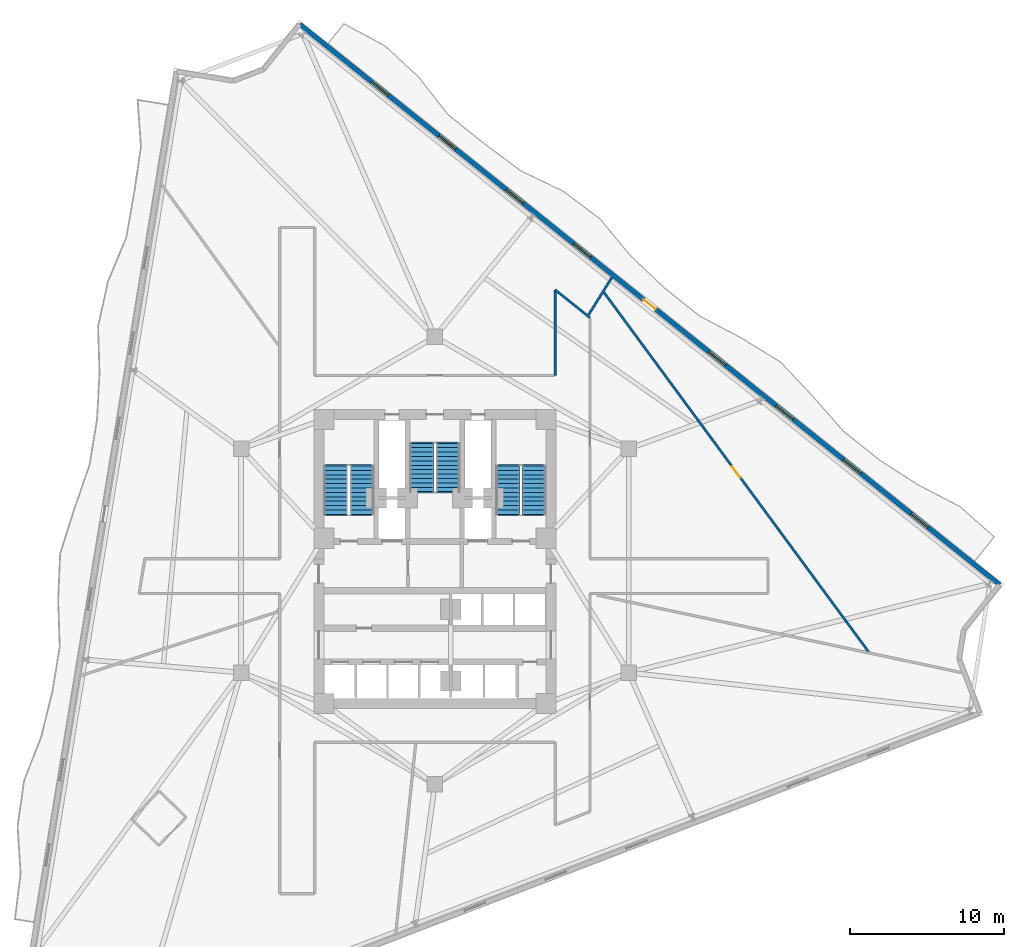
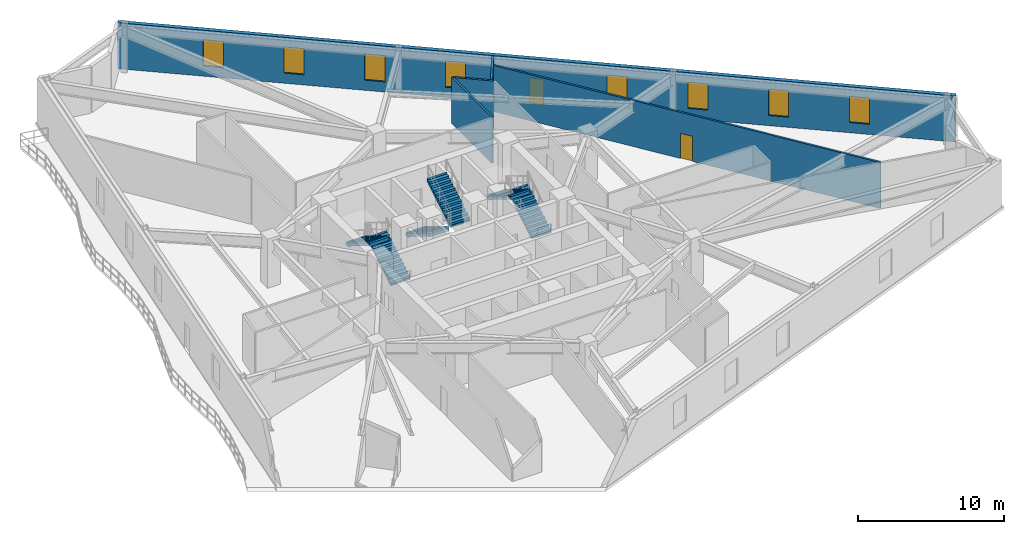
# One storey, part 7 of 10: 8 windows, 6 stair flights, 5 walls, 2 doors, 10 openings, 3 elements without a shape of their own.
"""IFC4 building model written with IfcOpenShell, lengths in metres."""

from ifc_helpers import new_model, si_unit, direction, frame, frame_2d, origin, place, context, subcontext, project, spatial, polyline, rectangle, outline, extrude, material, layer, layer_set, type_object, element, fill, aggregate, save


model = new_model("IFC4")

# Units and contexts
model_context = context("Model", 3, precision=1e-05, world=origin(), true_north=direction((0.0, 1.0)))
body_context = subcontext(model_context, "Body", "Model", "MODEL_VIEW")
ifc_project = project(units=[si_unit("LENGTHUNIT", "METRE"), si_unit("AREAUNIT", "SQUARE_METRE"), si_unit("VOLUMEUNIT", "CUBIC_METRE"), si_unit("PLANEANGLEUNIT", "RADIAN"), si_unit("MASSUNIT", "GRAM", prefix="KILO")], contexts=[model_context])

# Site, building, storey
site_placement = place(None, origin())
site = spatial("IfcSite", under=ifc_project, at=site_placement, CompositionType="ELEMENT")
building_placement = place(site_placement, origin())
building = spatial("IfcBuilding", under=site, at=building_placement, Name="Apsidion Concourse Tower", CompositionType="ELEMENT")
storey_placement = place(building_placement, frame((0.0, 0.0, 152.699951171875)))
storey = spatial("IfcBuildingStorey", under=building, at=storey_placement, Name="L35", CompositionType="ELEMENT", Elevation=152.699951171875)

# Wall, openings, door, windows
ifc_material_1 = material(Name="Precast concrete C40/50", Category="concrete")
ifc_layer_1 = layer(ifc_material_1, 0.300048828125)
ifc_layer_set_1 = layer_set([ifc_layer_1], Name="Precast concrete C40/50")
wall_type_1 = type_object("IfcWallType", Name="WL-EXT-300", PredefinedType="STANDARD", material=ifc_layer_set_1)
wall_1_placement = place(storey_placement, frame((-8.76171875, 34.748291015625, 0.0), z_axis=(0.0, 0.0, 1.0), x_axis=(0.780669916438, -0.624943582708, 0.0)))
wall_1 = element("IfcWall", 1, at=wall_1_placement, inside=storey, type_object=wall_type_1, Name="L35 Precast Stone Facade Wall 01", PredefinedType="STANDARD", context=body_context, shape_type="SweptSolid", body=[
    extrude(rectangle(XDim=58.093017578125, YDim=0.300048828125, at=frame_2d((29.04638671875, 0.0))), origin(), (0.0, 0.0, 1.0), 3.85009765625),
])
opening_1_placement = place(wall_1_placement, frame((28.546630859375, 0.0, 0.0)))
opening_1 = element("IfcOpeningElement", 2, at=opening_1_placement, cuts=wall_1, Name="Opening D-T1R", PredefinedType="OPENING", context=body_context, shape_type="SweptSolid", body=[
    extrude(rectangle(XDim=1.0, YDim=2.14990234375, at=frame_2d((0.5, 1.074951171875))), frame((0.0, 0.16015625, 0.0), z_axis=(0.0, -1.0, 0.0), x_axis=(1.0, 0.0, 0.0)), (0.0, 0.0, 1.0), 0.320068359375),
])
opening_2_placement = place(wall_1_placement, frame((5.946533203125, 0.0, 0.85009765625)))
opening_2 = element("IfcOpeningElement", 3, at=opening_2_placement, cuts=wall_1, Name="Opening WN-05", PredefinedType="OPENING", context=body_context, shape_type="SweptSolid", body=[
    extrude(rectangle(XDim=1.39990234375, YDim=2.199951171875, at=frame_2d((0.699951171875, 1.10009765625))), frame((0.0, 0.16015625, 0.0), z_axis=(0.0, -1.0, 0.0), x_axis=(1.0, 0.0, 0.0)), (0.0, 0.0, 1.0), 0.320068359375),
])
opening_3_placement = place(wall_1_placement, frame((11.546630859375, 0.0, 0.85009765625)))
opening_3 = element("IfcOpeningElement", 4, at=opening_3_placement, cuts=wall_1, Name="Opening WN-05", PredefinedType="OPENING", context=body_context, shape_type="SweptSolid", body=[
    extrude(rectangle(XDim=1.39990234375, YDim=2.199951171875, at=frame_2d((0.699951171875, 1.10009765625))), frame((0.0, 0.16015625, 0.0), z_axis=(0.0, -1.0, 0.0), x_axis=(1.0, 0.0, 0.0)), (0.0, 0.0, 1.0), 0.320068359375),
])
opening_4_placement = place(wall_1_placement, frame((17.146484375, 0.0, 0.85009765625)))
opening_4 = element("IfcOpeningElement", 5, at=opening_4_placement, cuts=wall_1, Name="Opening WN-05", PredefinedType="OPENING", context=body_context, shape_type="SweptSolid", body=[
    extrude(rectangle(XDim=1.39990234375, YDim=2.199951171875, at=frame_2d((0.699951171875, 1.10009765625))), frame((0.0, 0.16015625, 0.0), z_axis=(0.0, -1.0, 0.0), x_axis=(1.0, 0.0, 0.0)), (0.0, 0.0, 1.0), 0.320068359375),
])
opening_5_placement = place(wall_1_placement, frame((22.74658203125, 0.0, 0.85009765625)))
opening_5 = element("IfcOpeningElement", 6, at=opening_5_placement, cuts=wall_1, Name="Opening WN-05", PredefinedType="OPENING", context=body_context, shape_type="SweptSolid", body=[
    extrude(rectangle(XDim=1.39990234375, YDim=2.199951171875, at=frame_2d((0.699951171875, 1.10009765625))), frame((0.0, 0.16015625, 0.0), z_axis=(0.0, -1.0, 0.0), x_axis=(1.0, 0.0, 0.0)), (0.0, 0.0, 1.0), 0.320068359375),
])
opening_6_placement = place(wall_1_placement, frame((33.946533203125, 0.0, 0.85009765625)))
opening_6 = element("IfcOpeningElement", 7, at=opening_6_placement, cuts=wall_1, Name="Opening WN-05", PredefinedType="OPENING", context=body_context, shape_type="SweptSolid", body=[
    extrude(rectangle(XDim=1.39990234375, YDim=2.199951171875, at=frame_2d((0.699951171875, 1.10009765625))), frame((0.0, 0.16015625, 0.0), z_axis=(0.0, -1.0, 0.0), x_axis=(1.0, 0.0, 0.0)), (0.0, 0.0, 1.0), 0.320068359375),
])
opening_7_placement = place(wall_1_placement, frame((39.546630859375, 0.0, 0.85009765625)))
opening_7 = element("IfcOpeningElement", 8, at=opening_7_placement, cuts=wall_1, Name="Opening WN-05", PredefinedType="OPENING", context=body_context, shape_type="SweptSolid", body=[
    extrude(rectangle(XDim=1.39990234375, YDim=2.199951171875, at=frame_2d((0.699951171875, 1.10009765625))), frame((0.0, 0.16015625, 0.0), z_axis=(0.0, -1.0, 0.0), x_axis=(1.0, 0.0, 0.0)), (0.0, 0.0, 1.0), 0.320068359375),
])
opening_8_placement = place(wall_1_placement, frame((45.146484375, 0.0, 0.85009765625)))
opening_8 = element("IfcOpeningElement", 9, at=opening_8_placement, cuts=wall_1, Name="Opening WN-05", PredefinedType="OPENING", context=body_context, shape_type="SweptSolid", body=[
    extrude(rectangle(XDim=1.39990234375, YDim=2.199951171875, at=frame_2d((0.699951171875, 1.10009765625))), frame((0.0, 0.16015625, 0.0), z_axis=(0.0, -1.0, 0.0), x_axis=(1.0, 0.0, 0.0)), (0.0, 0.0, 1.0), 0.320068359375),
])
opening_9_placement = place(wall_1_placement, frame((50.74658203125, 0.0, 0.85009765625)))
opening_9 = element("IfcOpeningElement", 10, at=opening_9_placement, cuts=wall_1, Name="Opening WN-05", PredefinedType="OPENING", context=body_context, shape_type="SweptSolid", body=[
    extrude(rectangle(XDim=1.39990234375, YDim=2.199951171875, at=frame_2d((0.699951171875, 1.10009765625))), frame((0.0, 0.16015625, 0.0), z_axis=(0.0, -1.0, 0.0), x_axis=(1.0, 0.0, 0.0)), (0.0, 0.0, 1.0), 0.320068359375),
])
ifc_material_2 = material(Name="Anodised aluminium EN AW-6063 T6", Category="aluminium")
door_type_1 = type_object("IfcDoorType", Name="DR-TER-1022R", OperationType="SINGLE_SWING_RIGHT", PredefinedType="DOOR", material=ifc_material_2)
door_1_placement = place(opening_1_placement, origin())
door_1 = element("IfcDoor", 11, at=door_1_placement, inside=storey, type_object=door_type_1, Name="L35 Balcony Access Door 1", OperationType="SINGLE_SWING_RIGHT", OverallHeight=2.14990234375, OverallWidth=1.0, PredefinedType="DOOR", context=body_context, shape_type="SweptSolid", body=[
    extrude(rectangle(XDim=1.0, YDim=2.14990234375, at=frame_2d((0.5, 1.074951171875))), frame((0.0, 0.02490234375, 0.0), z_axis=(0.0, -1.0, 0.0), x_axis=(1.0, 0.0, 0.0)), (0.0, 0.0, 1.0), 0.050048828125),
])
fill(opening_1, door_1)
ifc_material_3 = material(Name="Insulated laminated low-E glass", Category="glass")
window_type = type_object("IfcWindowType", Name="WN-OFF-1424", PartitioningType="SINGLE_PANEL", PredefinedType="WINDOW", material=ifc_material_3)
window_1_placement = place(opening_2_placement, origin())
window_1 = element("IfcWindow", 12, at=window_1_placement, inside=storey, type_object=window_type, Name="L35 Punched Facade Window 1-01", OverallHeight=2.199951171875, OverallWidth=1.39990234375, PartitioningType="SINGLE_PANEL", PredefinedType="WINDOW", context=body_context, shape_type="SweptSolid", body=[
    extrude(rectangle(XDim=1.39990234375, YDim=2.199951171875, at=frame_2d((0.699951171875, 1.10009765625))), frame((0.0, 0.030029296875, 0.0), z_axis=(0.0, -1.0, 0.0), x_axis=(1.0, 0.0, 0.0)), (0.0, 0.0, 1.0), 0.06005859375),
])
fill(opening_2, window_1)
window_2_placement = place(opening_3_placement, origin())
window_2 = element("IfcWindow", 13, at=window_2_placement, inside=storey, type_object=window_type, Name="L35 Punched Facade Window 1-02", OverallHeight=2.199951171875, OverallWidth=1.39990234375, PartitioningType="SINGLE_PANEL", PredefinedType="WINDOW", context=body_context, shape_type="SweptSolid", body=[
    extrude(rectangle(XDim=1.39990234375, YDim=2.199951171875, at=frame_2d((0.699951171875, 1.10009765625))), frame((0.0, 0.030029296875, 0.0), z_axis=(0.0, -1.0, 0.0), x_axis=(1.0, 0.0, 0.0)), (0.0, 0.0, 1.0), 0.06005859375),
])
fill(opening_3, window_2)
window_3_placement = place(opening_4_placement, origin())
window_3 = element("IfcWindow", 14, at=window_3_placement, inside=storey, type_object=window_type, Name="L35 Punched Facade Window 1-03", OverallHeight=2.199951171875, OverallWidth=1.39990234375, PartitioningType="SINGLE_PANEL", PredefinedType="WINDOW", context=body_context, shape_type="SweptSolid", body=[
    extrude(rectangle(XDim=1.39990234375, YDim=2.199951171875, at=frame_2d((0.699951171875, 1.10009765625))), frame((0.0, 0.030029296875, 0.0), z_axis=(0.0, -1.0, 0.0), x_axis=(1.0, 0.0, 0.0)), (0.0, 0.0, 1.0), 0.06005859375),
])
fill(opening_4, window_3)
window_4_placement = place(opening_5_placement, origin())
window_4 = element("IfcWindow", 15, at=window_4_placement, inside=storey, type_object=window_type, Name="L35 Punched Facade Window 1-04", OverallHeight=2.199951171875, OverallWidth=1.39990234375, PartitioningType="SINGLE_PANEL", PredefinedType="WINDOW", context=body_context, shape_type="SweptSolid", body=[
    extrude(rectangle(XDim=1.39990234375, YDim=2.199951171875, at=frame_2d((0.699951171875, 1.10009765625))), frame((0.0, 0.030029296875, 0.0), z_axis=(0.0, -1.0, 0.0), x_axis=(1.0, 0.0, 0.0)), (0.0, 0.0, 1.0), 0.06005859375),
])
fill(opening_5, window_4)
window_5_placement = place(opening_6_placement, origin())
window_5 = element("IfcWindow", 16, at=window_5_placement, inside=storey, type_object=window_type, Name="L35 Punched Facade Window 1-06", OverallHeight=2.199951171875, OverallWidth=1.39990234375, PartitioningType="SINGLE_PANEL", PredefinedType="WINDOW", context=body_context, shape_type="SweptSolid", body=[
    extrude(rectangle(XDim=1.39990234375, YDim=2.199951171875, at=frame_2d((0.699951171875, 1.10009765625))), frame((0.0, 0.030029296875, 0.0), z_axis=(0.0, -1.0, 0.0), x_axis=(1.0, 0.0, 0.0)), (0.0, 0.0, 1.0), 0.06005859375),
])
fill(opening_6, window_5)
window_6_placement = place(opening_7_placement, origin())
window_6 = element("IfcWindow", 17, at=window_6_placement, inside=storey, type_object=window_type, Name="L35 Punched Facade Window 1-07", OverallHeight=2.199951171875, OverallWidth=1.39990234375, PartitioningType="SINGLE_PANEL", PredefinedType="WINDOW", context=body_context, shape_type="SweptSolid", body=[
    extrude(rectangle(XDim=1.39990234375, YDim=2.199951171875, at=frame_2d((0.699951171875, 1.10009765625))), frame((0.0, 0.030029296875, 0.0), z_axis=(0.0, -1.0, 0.0), x_axis=(1.0, 0.0, 0.0)), (0.0, 0.0, 1.0), 0.06005859375),
])
fill(opening_7, window_6)
window_7_placement = place(opening_8_placement, origin())
window_7 = element("IfcWindow", 18, at=window_7_placement, inside=storey, type_object=window_type, Name="L35 Punched Facade Window 1-08", OverallHeight=2.199951171875, OverallWidth=1.39990234375, PartitioningType="SINGLE_PANEL", PredefinedType="WINDOW", context=body_context, shape_type="SweptSolid", body=[
    extrude(rectangle(XDim=1.39990234375, YDim=2.199951171875, at=frame_2d((0.699951171875, 1.10009765625))), frame((0.0, 0.030029296875, 0.0), z_axis=(0.0, -1.0, 0.0), x_axis=(1.0, 0.0, 0.0)), (0.0, 0.0, 1.0), 0.06005859375),
])
fill(opening_8, window_7)
window_8_placement = place(opening_9_placement, origin())
window_8 = element("IfcWindow", 19, at=window_8_placement, inside=storey, type_object=window_type, Name="L35 Punched Facade Window 1-09", OverallHeight=2.199951171875, OverallWidth=1.39990234375, PartitioningType="SINGLE_PANEL", PredefinedType="WINDOW", context=body_context, shape_type="SweptSolid", body=[
    extrude(rectangle(XDim=1.39990234375, YDim=2.199951171875, at=frame_2d((0.699951171875, 1.10009765625))), frame((0.0, 0.030029296875, 0.0), z_axis=(0.0, -1.0, 0.0), x_axis=(1.0, 0.0, 0.0)), (0.0, 0.0, 1.0), 0.06005859375),
])
fill(opening_9, window_8)

# Walls
ifc_material_4 = material(Name="Gypsum plasterboard partition")
ifc_layer_2 = layer(ifc_material_4, 0.14990234375)
ifc_layer_set_2 = layer_set([ifc_layer_2], Name="Gypsum plasterboard partition")
wall_type_2 = type_object("IfcWallType", Name="WL-INT-PAR-150", PredefinedType="PARTITIONING", material=ifc_layer_set_2)
wall_2_placement = place(storey_placement, frame((7.7900390625, 12.0, 0.0), z_axis=(0.0, 0.0, 1.0), x_axis=(0.0, 1.0, 0.0)))
element("IfcWall", 20, at=wall_2_placement, inside=storey, type_object=wall_type_2, Name="L35 Interior Partition WL-L35-CORR-14", PredefinedType="PARTITIONING", context=body_context, shape_type="SweptSolid", body=[
    extrude(rectangle(XDim=5.546630859375, YDim=0.14990234375, at=frame_2d((2.7734375, 0.0))), origin(), (0.0, 0.0, 1.0), 3.85009765625),
])
wall_3_placement = place(storey_placement, frame((7.7900390625, 17.546630859375, 0.0), z_axis=(0.0, 0.0, 1.0), x_axis=(0.780646621428, -0.624972681366, 0.0)))
element("IfcWall", 21, at=wall_3_placement, inside=storey, type_object=wall_type_2, Name="L35 Interior Partition WL-L35-CORR-15", PredefinedType="PARTITIONING", context=body_context, shape_type="SweptSolid", body=[
    extrude(rectangle(XDim=2.89501953125, YDim=0.14990234375, at=frame_2d((1.447509765625, 0.0))), origin(), (0.0, 0.0, 1.0), 3.85009765625),
])
wall_4_placement = place(storey_placement, frame((9.9619140625, 15.9423828125, 0.0), z_axis=(0.0, 0.0, 1.0), x_axis=(0.529929252451, 0.848041854743, 0.0)))
element("IfcWall", 22, at=wall_4_placement, inside=storey, type_object=wall_type_2, Name="L35 Interior Partition WL-L35-RAD-01-2", PredefinedType="PARTITIONING", context=body_context, shape_type="SweptSolid", body=[
    extrude(rectangle(XDim=2.834228515625, YDim=0.14990234375, at=frame_2d((1.4169921875, 0.0))), origin(), (0.0, 0.0, 1.0), 3.85009765625),
])

# Wall, opening, door
wall_5_placement = place(storey_placement, frame((28.130126953125, -5.95361328125, 0.0), z_axis=(0.0, 0.0, 1.0), x_axis=(-0.592900374234, 0.805275819973, 0.0)))
wall_5 = element("IfcWall", 23, at=wall_5_placement, inside=storey, type_object=wall_type_2, Name="L35 Interior Partition WL-L35-CHD-OFS02", PredefinedType="PARTITIONING", context=body_context, shape_type="SweptSolid", body=[
    extrude(rectangle(XDim=29.03125, YDim=0.14990234375, at=frame_2d((14.515625, 0.0))), origin(), (0.0, 0.0, 1.0), 3.85009765625),
])
opening_10_placement = place(wall_5_placement, frame((14.065673828125, 0.0, 0.0)))
opening_10 = element("IfcOpeningElement", 24, at=opening_10_placement, cuts=wall_5, Name="Opening D-02L", PredefinedType="OPENING", context=body_context, shape_type="SweptSolid", body=[
    extrude(rectangle(XDim=0.89990234375, YDim=2.10009765625, at=frame_2d((0.449951171875, 1.050048828125))), frame((0.0, 0.0849609375, 0.0), z_axis=(0.0, -1.0, 0.0), x_axis=(1.0, 0.0, 0.0)), (0.0, 0.0, 1.0), 0.169921875),
])
door_type_2 = type_object("IfcDoorType", Name="DR-INT-D02L", OperationType="SINGLE_SWING_LEFT", PredefinedType="DOOR", material=ifc_material_2)
door_2_placement = place(opening_10_placement, origin())
door_2 = element("IfcDoor", 25, at=door_2_placement, inside=storey, type_object=door_type_2, Name="L35 Suite Connecting Door OFS02", OperationType="SINGLE_SWING_LEFT", OverallHeight=2.10009765625, OverallWidth=0.89990234375, PredefinedType="DOOR", context=body_context, shape_type="SweptSolid", body=[
    extrude(rectangle(XDim=0.89990234375, YDim=2.10009765625, at=frame_2d((0.449951171875, 1.050048828125))), frame((0.0, 0.02490234375, 0.0), z_axis=(0.0, -1.0, 0.0), x_axis=(1.0, 0.0, 0.0)), (0.0, 0.0, 1.0), 0.050048828125),
])
fill(opening_10, door_2)

# Stair, stair flights
stair_type = type_object("IfcStairType", Name="ST-DL-1550", PredefinedType="HALF_TURN_STAIR", material=ifc_material_1)
stair_1_placement = place(storey_placement, origin())
stair_1 = element("IfcStair", 26, at=stair_1_placement, inside=storey, type_object=stair_type, Name="L35 Protected Core Exit Stair ST1", PredefinedType="HALF_TURN_STAIR")
stair_flight_type = type_object("IfcStairFlightType", Name="SFL-RC-1550", PredefinedType="STRAIGHT", material=ifc_material_1)
stair_flight_1_placement = place(storey_placement, frame((-4.72509765625, 3.0, 0.0), z_axis=(0.0, 0.0, 1.0), x_axis=(0.0, 1.0, 0.0)))
stair_flight_1 = element("IfcStairFlight", 27, at=stair_flight_1_placement, type_object=stair_flight_type, Name="ST1 flight 1", NumberOfRisers=12, NumberOfTreads=11, PredefinedType="STRAIGHT", RiserHeight=0.170833333, TreadLength=0.285, context=body_context, shape_type="SweptSolid", body=[
    extrude(outline(polyline([(-0.080078125, -0.1123046875), (-0.080078125, 0.0), (0.0, 0.0), (0.0, 0.1708984375), (0.284912109375, 0.1708984375), (0.284912109375, 0.341552734375), (0.570068359375, 0.341552734375), (0.570068359375, 0.512451171875), (0.85498046875, 0.512451171875), (0.85498046875, 0.683349609375), (1.139892578125, 0.683349609375), (1.139892578125, 0.854248046875), (1.425048828125, 0.854248046875), (1.425048828125, 1.02490234375), (1.7099609375, 1.02490234375), (1.7099609375, 1.19580078125), (1.9951171875, 1.19580078125), (1.9951171875, 1.36669921875), (2.280029296875, 1.36669921875), (2.280029296875, 1.53759765625), (2.56494140625, 1.53759765625), (2.56494140625, 1.708251953125), (2.85009765625, 1.708251953125), (2.85009765625, 1.879150390625), (3.135009765625, 1.879150390625), (3.135009765625, 2.050048828125), (3.215087890625, 1.964599609375), (3.215087890625, 1.704345703125), (3.135009765625, 1.704345703125), (0.29150390625, 0.0), (0.29150390625, -0.1123046875), (-0.080078125, -0.1123046875)])), frame((0.0, 0.77490234375, 0.0), z_axis=(0.0, -1.0, 0.0), x_axis=(1.0, 0.0, 0.0)), (0.0, 0.0, 1.0), 1.550048828125),
])
stair_flight_2_placement = place(storey_placement, frame((-6.425048828125, 6.135009765625, 2.050048828125), z_axis=(0.0, 0.0, 1.0), x_axis=(0.0, -1.0, 0.0)))
stair_flight_2 = element("IfcStairFlight", 28, at=stair_flight_2_placement, type_object=stair_flight_type, Name="ST1 flight 2", NumberOfRisers=12, NumberOfTreads=11, PredefinedType="STRAIGHT", RiserHeight=0.170833333, TreadLength=0.285, context=body_context, shape_type="SweptSolid", body=[
    extrude(outline(polyline([(-0.080078125, -0.1123046875), (-0.080078125, 0.0), (0.0, 0.0), (0.0, 0.1708984375), (0.284912109375, 0.1708984375), (0.284912109375, 0.341552734375), (0.570068359375, 0.341552734375), (0.570068359375, 0.512451171875), (0.85498046875, 0.512451171875), (0.85498046875, 0.683349609375), (1.139892578125, 0.683349609375), (1.139892578125, 0.854248046875), (1.425048828125, 0.854248046875), (1.425048828125, 1.02490234375), (1.7099609375, 1.02490234375), (1.7099609375, 1.19580078125), (1.9951171875, 1.19580078125), (1.9951171875, 1.36669921875), (2.280029296875, 1.36669921875), (2.280029296875, 1.53759765625), (2.56494140625, 1.53759765625), (2.56494140625, 1.708251953125), (2.85009765625, 1.708251953125), (2.85009765625, 1.879150390625), (3.135009765625, 1.879150390625), (3.135009765625, 2.050048828125), (3.215087890625, 1.964599609375), (3.215087890625, 1.704345703125), (3.135009765625, 1.704345703125), (0.29150390625, 0.0), (0.29150390625, -0.1123046875), (-0.080078125, -0.1123046875)])), frame((0.0, 0.77490234375, 0.0), z_axis=(0.0, -1.0, 0.0), x_axis=(1.0, 0.0, 0.0)), (0.0, 0.0, 1.0), 1.550048828125),
])
aggregate(stair_1, [stair_flight_1, stair_flight_2])

stair_2_placement = place(storey_placement, origin())
stair_2 = element("IfcStair", 29, at=stair_2_placement, inside=storey, type_object=stair_type, Name="L35 Protected Core Exit Stair ST2", PredefinedType="HALF_TURN_STAIR")
stair_flight_3_placement = place(storey_placement, frame((6.425048828125, 3.0, 0.0), z_axis=(0.0, 0.0, 1.0), x_axis=(0.0, 1.0, 0.0)))
stair_flight_3 = element("IfcStairFlight", 30, at=stair_flight_3_placement, type_object=stair_flight_type, Name="ST2 flight 1", NumberOfRisers=12, NumberOfTreads=11, PredefinedType="STRAIGHT", RiserHeight=0.170833333, TreadLength=0.285, context=body_context, shape_type="SweptSolid", body=[
    extrude(outline(polyline([(-0.080078125, -0.1123046875), (-0.080078125, 0.0), (0.0, 0.0), (0.0, 0.1708984375), (0.284912109375, 0.1708984375), (0.284912109375, 0.341552734375), (0.570068359375, 0.341552734375), (0.570068359375, 0.512451171875), (0.85498046875, 0.512451171875), (0.85498046875, 0.683349609375), (1.139892578125, 0.683349609375), (1.139892578125, 0.854248046875), (1.425048828125, 0.854248046875), (1.425048828125, 1.02490234375), (1.7099609375, 1.02490234375), (1.7099609375, 1.19580078125), (1.9951171875, 1.19580078125), (1.9951171875, 1.36669921875), (2.280029296875, 1.36669921875), (2.280029296875, 1.53759765625), (2.56494140625, 1.53759765625), (2.56494140625, 1.708251953125), (2.85009765625, 1.708251953125), (2.85009765625, 1.879150390625), (3.135009765625, 1.879150390625), (3.135009765625, 2.050048828125), (3.215087890625, 1.964599609375), (3.215087890625, 1.704345703125), (3.135009765625, 1.704345703125), (0.29150390625, 0.0), (0.29150390625, -0.1123046875), (-0.080078125, -0.1123046875)])), frame((0.0, 0.77490234375, 0.0), z_axis=(0.0, -1.0, 0.0), x_axis=(1.0, 0.0, 0.0)), (0.0, 0.0, 1.0), 1.550048828125),
])
stair_flight_4_placement = place(storey_placement, frame((4.72509765625, 6.135009765625, 2.050048828125), z_axis=(0.0, 0.0, 1.0), x_axis=(0.0, -1.0, 0.0)))
stair_flight_4 = element("IfcStairFlight", 31, at=stair_flight_4_placement, type_object=stair_flight_type, Name="ST2 flight 2", NumberOfRisers=12, NumberOfTreads=11, PredefinedType="STRAIGHT", RiserHeight=0.170833333, TreadLength=0.285, context=body_context, shape_type="SweptSolid", body=[
    extrude(outline(polyline([(-0.080078125, -0.1123046875), (-0.080078125, 0.0), (0.0, 0.0), (0.0, 0.1708984375), (0.284912109375, 0.1708984375), (0.284912109375, 0.341552734375), (0.570068359375, 0.341552734375), (0.570068359375, 0.512451171875), (0.85498046875, 0.512451171875), (0.85498046875, 0.683349609375), (1.139892578125, 0.683349609375), (1.139892578125, 0.854248046875), (1.425048828125, 0.854248046875), (1.425048828125, 1.02490234375), (1.7099609375, 1.02490234375), (1.7099609375, 1.19580078125), (1.9951171875, 1.19580078125), (1.9951171875, 1.36669921875), (2.280029296875, 1.36669921875), (2.280029296875, 1.53759765625), (2.56494140625, 1.53759765625), (2.56494140625, 1.708251953125), (2.85009765625, 1.708251953125), (2.85009765625, 1.879150390625), (3.135009765625, 1.879150390625), (3.135009765625, 2.050048828125), (3.215087890625, 1.964599609375), (3.215087890625, 1.704345703125), (3.135009765625, 1.704345703125), (0.29150390625, 0.0), (0.29150390625, -0.1123046875), (-0.080078125, -0.1123046875)])), frame((0.0, 0.77490234375, 0.0), z_axis=(0.0, -1.0, 0.0), x_axis=(1.0, 0.0, 0.0)), (0.0, 0.0, 1.0), 1.550048828125),
])
aggregate(stair_2, [stair_flight_3, stair_flight_4])

stair_3_placement = place(storey_placement, origin())
stair_3 = element("IfcStair", 32, at=stair_3_placement, inside=storey, type_object=stair_type, Name="L35 Protected Core Exit Stair ST3", PredefinedType="HALF_TURN_STAIR")
stair_flight_5_placement = place(storey_placement, frame((-0.85009765625, 7.60009765625, 0.0), z_axis=(0.0, 0.0, 1.0), x_axis=(0.0, -1.0, 0.0)))
stair_flight_5 = element("IfcStairFlight", 33, at=stair_flight_5_placement, type_object=stair_flight_type, Name="ST3 flight 1", NumberOfRisers=12, NumberOfTreads=11, PredefinedType="STRAIGHT", RiserHeight=0.170833333, TreadLength=0.285, context=body_context, shape_type="SweptSolid", body=[
    extrude(outline(polyline([(-0.080078125, -0.1123046875), (-0.080078125, 0.0), (0.0, 0.0), (0.0, 0.1708984375), (0.284912109375, 0.1708984375), (0.284912109375, 0.341552734375), (0.570068359375, 0.341552734375), (0.570068359375, 0.512451171875), (0.85498046875, 0.512451171875), (0.85498046875, 0.683349609375), (1.139892578125, 0.683349609375), (1.139892578125, 0.854248046875), (1.425048828125, 0.854248046875), (1.425048828125, 1.02490234375), (1.7099609375, 1.02490234375), (1.7099609375, 1.19580078125), (1.9951171875, 1.19580078125), (1.9951171875, 1.36669921875), (2.280029296875, 1.36669921875), (2.280029296875, 1.53759765625), (2.56494140625, 1.53759765625), (2.56494140625, 1.708251953125), (2.85009765625, 1.708251953125), (2.85009765625, 1.879150390625), (3.135009765625, 1.879150390625), (3.135009765625, 2.050048828125), (3.215087890625, 1.964599609375), (3.215087890625, 1.704345703125), (3.135009765625, 1.704345703125), (0.29150390625, 0.0), (0.29150390625, -0.1123046875), (-0.080078125, -0.1123046875)])), frame((0.0, 0.77490234375, 0.0), z_axis=(0.0, -1.0, 0.0), x_axis=(1.0, 0.0, 0.0)), (0.0, 0.0, 1.0), 1.550048828125),
])
stair_flight_6_placement = place(storey_placement, frame((0.85009765625, 4.465087890625, 2.050048828125), z_axis=(0.0, 0.0, 1.0), x_axis=(0.0, 1.0, 0.0)))
stair_flight_6 = element("IfcStairFlight", 34, at=stair_flight_6_placement, type_object=stair_flight_type, Name="ST3 flight 2", NumberOfRisers=12, NumberOfTreads=11, PredefinedType="STRAIGHT", RiserHeight=0.170833333, TreadLength=0.285, context=body_context, shape_type="SweptSolid", body=[
    extrude(outline(polyline([(-0.080078125, -0.1123046875), (-0.080078125, 0.0), (0.0, 0.0), (0.0, 0.1708984375), (0.284912109375, 0.1708984375), (0.284912109375, 0.341552734375), (0.570068359375, 0.341552734375), (0.570068359375, 0.512451171875), (0.85498046875, 0.512451171875), (0.85498046875, 0.683349609375), (1.139892578125, 0.683349609375), (1.139892578125, 0.854248046875), (1.425048828125, 0.854248046875), (1.425048828125, 1.02490234375), (1.7099609375, 1.02490234375), (1.7099609375, 1.19580078125), (1.9951171875, 1.19580078125), (1.9951171875, 1.36669921875), (2.280029296875, 1.36669921875), (2.280029296875, 1.53759765625), (2.56494140625, 1.53759765625), (2.56494140625, 1.708251953125), (2.85009765625, 1.708251953125), (2.85009765625, 1.879150390625), (3.135009765625, 1.879150390625), (3.135009765625, 2.050048828125), (3.215087890625, 1.964599609375), (3.215087890625, 1.704345703125), (3.135009765625, 1.704345703125), (0.29150390625, 0.0), (0.29150390625, -0.1123046875), (-0.080078125, -0.1123046875)])), frame((0.0, 0.77490234375, 0.0), z_axis=(0.0, -1.0, 0.0), x_axis=(1.0, 0.0, 0.0)), (0.0, 0.0, 1.0), 1.550048828125),
])
aggregate(stair_3, [stair_flight_5, stair_flight_6])

save(model, "model.ifc")
